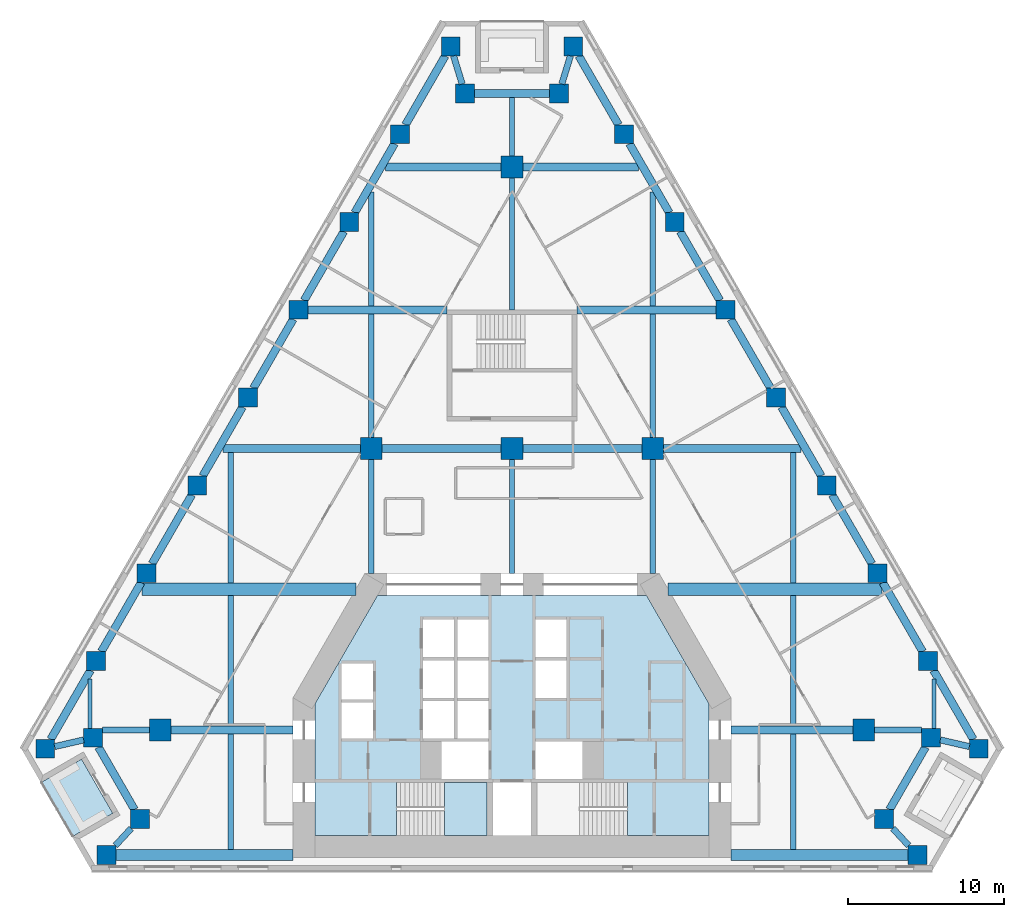
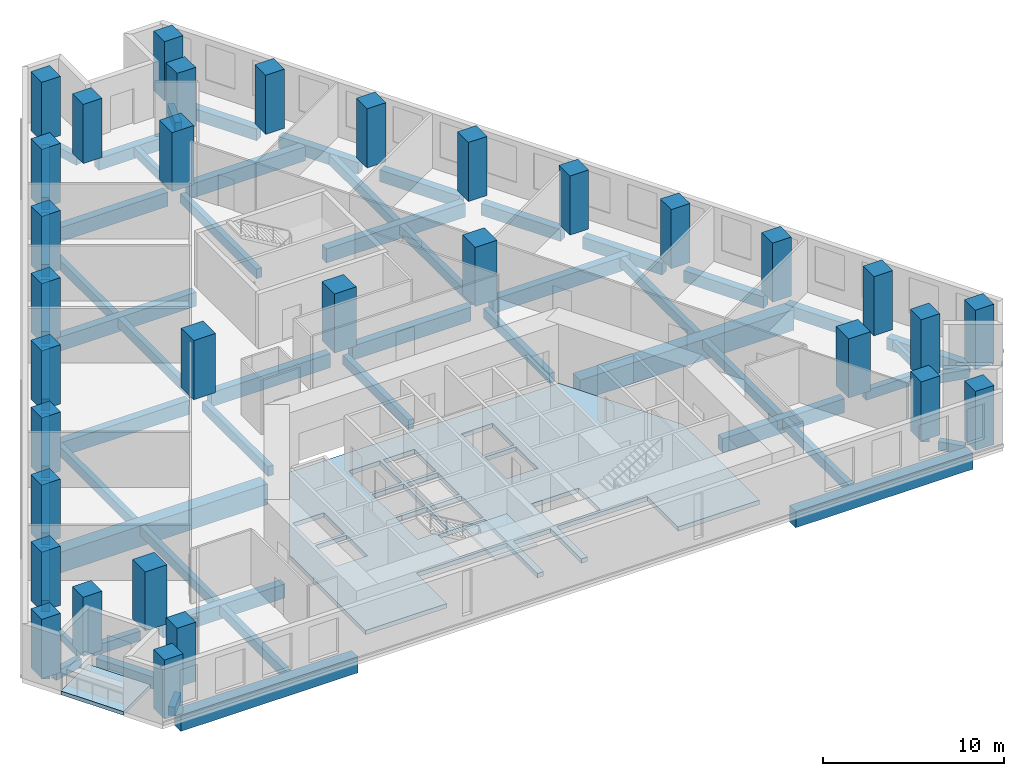
# One storey, part 1 of 9: 58 beams, 32 columns, 3 slabs, 1 element without a shape of its own.
"""IFC4 building model written with IfcOpenShell, lengths in metres."""

import ifcopenshell
import ifcopenshell.guid

model = None  # the IFC model being written
_history = None  # IfcOwnerHistory: only IFC2X3 demands one
_inside = {}  # id of a spatial element -> (the spatial element, [elements in it])
_under = {}  # id of a project, library or spatial element -> (it, [spatial elements below it])
_declared = {}  # id of a project -> (the project, [libraries it declares])
_typed = {}  # id of a type object -> (the type object, [elements of that type])
_made_of = {}  # id of a material, layer set ... -> (it, [elements and type objects made of it])


def new_model(schema):
    """Start an empty IFC model of exactly this schema.

    Asked for "IFC4X3", IfcOpenShell would pick the latest addendum, in which some entities
    have other attributes; the version numbers below select the first issue.
    IFC2X3 requires an IfcOwnerHistory on every rooted entity: one is made here for all.
    """
    global model, _history
    if schema == "IFC4X3":
        model = ifcopenshell.file(schema_version=(4, 3, 0, 0))
    else:
        model = ifcopenshell.file(schema=schema)
    _inside.clear()
    _under.clear()
    _declared.clear()
    _typed.clear()
    _made_of.clear()
    _history = None
    if model.schema == "IFC2X3":
        org = make("IfcOrganization", Name="unknown")
        user = make(
            "IfcPersonAndOrganization",
            ThePerson=make("IfcPerson", FamilyName="unknown"),
            TheOrganization=org,
        )
        app = make(
            "IfcApplication",
            ApplicationDeveloper=org,
            Version="unknown",
            ApplicationFullName="unknown",
            ApplicationIdentifier="unknown",
        )
        _history = make(
            "IfcOwnerHistory",
            OwningUser=user,
            OwningApplication=app,
            ChangeAction="ADDED",
            CreationDate=0,
        )
    return model


def make(cls, **values):
    """One entity of the class cls with the attributes given. An attribute that is None is left unset."""
    return model.create_entity(
        cls, **{name: value for name, value in values.items() if value is not None}
    )


def rooted(cls, **values):
    """An entity with a GlobalId (a new one), such as an element, a storey or a relation."""
    return make(cls, GlobalId=ifcopenshell.guid.new(), OwnerHistory=_history, **values)


def si_unit(unit_type, name, prefix=None):
    """IfcSIUnit, for example si_unit("LENGTHUNIT", "METRE", prefix="MILLI")."""
    return make("IfcSIUnit", UnitType=unit_type, Prefix=prefix, Name=name)


def assignment(units):
    """IfcUnitAssignment: the units of a project."""
    return None if units is None else make("IfcUnitAssignment", Units=units)


def point(xyz):
    """IfcCartesianPoint."""
    return None if xyz is None else make("IfcCartesianPoint", Coordinates=xyz)


def direction(xyz):
    """IfcDirection."""
    return None if xyz is None else make("IfcDirection", DirectionRatios=xyz)


def frame(location, z_axis=None, x_axis=None):
    """IfcAxis2Placement3D, a coordinate frame: its origin and axes. An axis left out is left unset."""
    return make(
        "IfcAxis2Placement3D",
        Location=point(location),
        Axis=direction(z_axis),
        RefDirection=direction(x_axis),
    )


def frame_2d(location, x_axis=None):
    """IfcAxis2Placement2D, a coordinate frame in the plane: its origin and x axis."""
    return make(
        "IfcAxis2Placement2D", Location=point(location), RefDirection=direction(x_axis)
    )


def origin():
    """The frame at (0, 0, 0) with its axes left unset."""
    return frame((0.0, 0.0, 0.0))


def origin_2d():
    """The frame at (0, 0) in the plane with its x axis left unset."""
    return frame_2d((0.0, 0.0))


def place(relative_to, where):
    """IfcLocalPlacement: puts the frame where relative to a parent placement (None: the world)."""
    return make(
        "IfcLocalPlacement", PlacementRelTo=relative_to, RelativePlacement=where
    )


def context(
    kind, dimensions, precision=None, world=None, true_north=None, identifier=None
):
    """IfcGeometricRepresentationContext, for example the 3D "Model" context."""
    return make(
        "IfcGeometricRepresentationContext",
        ContextIdentifier=identifier,
        ContextType=kind,
        CoordinateSpaceDimension=dimensions,
        Precision=precision,
        WorldCoordinateSystem=world,
        TrueNorth=true_north,
    )


def subcontext(parent, identifier, kind, view, scale=None):
    """IfcGeometricRepresentationSubContext, for example "Body" below "Model"."""
    return make(
        "IfcGeometricRepresentationSubContext",
        ContextIdentifier=identifier,
        ContextType=kind,
        ParentContext=parent,
        TargetScale=scale,
        TargetView=view,
    )


def project(units=None, contexts=None):
    """IfcProject with its units and contexts."""
    return rooted(
        "IfcProject",
        Name="project",
        RepresentationContexts=contexts,
        UnitsInContext=assignment(units),
    )


def spatial(cls, under=None, at=None, **own):
    """A site, building, storey or space (cls), placed at a placement, below another one or the project."""
    s = rooted(cls, ObjectPlacement=at, **own)
    if under is not None:
        _under.setdefault(under.id(), (under, []))[1].append(s)
    return s


def polyline(points):
    """IfcPolyline through the points."""
    return make("IfcPolyline", Points=[point(p) for p in points])


def profile(cls, at=None, kind="AREA", **sizes):
    """A parametric profile (cls). Its sizes go by their IFC names, for example OverallWidth=200.0."""
    return make(cls, ProfileType=kind, Position=at, **sizes)


def rectangle(**sizes):
    """IfcRectangleProfileDef."""
    return profile("IfcRectangleProfileDef", **sizes)


def outline(outer, holes=None, kind="AREA"):
    """IfcArbitraryClosedProfileDef: a profile drawn as a closed curve; with holes, ...WithVoids."""
    if holes is None:
        return make("IfcArbitraryClosedProfileDef", ProfileType=kind, OuterCurve=outer)
    return make(
        "IfcArbitraryProfileDefWithVoids",
        ProfileType=kind,
        OuterCurve=outer,
        InnerCurves=holes,
    )


def extrude(swept, where, along, depth):
    """IfcExtrudedAreaSolid: the profile swept, set in the frame where, extruded along a direction by depth."""
    return make(
        "IfcExtrudedAreaSolid",
        SweptArea=swept,
        Position=where,
        ExtrudedDirection=direction(along),
        Depth=depth,
    )


def shape(context_of_items, identifier, shape_type, items):
    """IfcShapeRepresentation: the items that make up one representation, for example the "Body"."""
    return make(
        "IfcShapeRepresentation",
        ContextOfItems=context_of_items,
        RepresentationIdentifier=identifier,
        RepresentationType=shape_type,
        Items=items,
    )


def material(Name=None, Category=None):
    """IfcMaterial."""
    return make("IfcMaterial", Name=Name, Category=Category)


def layer(
    of_material, thickness, ventilated=None, Name=None, Category=None, Priority=None
):
    """IfcMaterialLayer: one layer of a wall or slab, of a material (None: an air gap)."""
    return make(
        "IfcMaterialLayer",
        Material=of_material,
        LayerThickness=thickness,
        IsVentilated=ventilated,
        Name=Name,
        Category=Category,
        Priority=Priority,
    )


def layer_set(layers, Name=None):
    """IfcMaterialLayerSet."""
    return make("IfcMaterialLayerSet", MaterialLayers=layers, LayerSetName=Name)


def material_profile(
    of_material, cross_section, Name=None, Category=None, Priority=None
):
    """IfcMaterialProfile: a cross section and its material."""
    return make(
        "IfcMaterialProfile",
        Name=Name,
        Material=of_material,
        Profile=cross_section,
        Priority=Priority,
        Category=Category,
    )


def profile_set(profiles, Name=None, composite=None):
    """IfcMaterialProfileSet."""
    return make(
        "IfcMaterialProfileSet",
        Name=Name,
        MaterialProfiles=profiles,
        CompositeProfile=composite,
    )


def made_of(thing, what):
    """Note that an element or type object is made of a material, layer set ...; save() writes the relation."""
    if what is not None:
        _made_of.setdefault(what.id(), (what, []))[1].append(thing)
    return thing


def type_object(cls, material=None, **own):
    """A type object (cls), such as IfcWallType, which elements share."""
    return made_of(rooted(cls, **own), material)


def element(
    cls,
    number,
    at=None,
    inside=None,
    cuts=None,
    type_object=None,
    material=None,
    context=None,
    identifier="Body",
    shape_type=None,
    held_by="IfcProductDefinitionShape",
    body=None,
    shapes=None,
    **own,
):
    """One element of the class cls, such as IfcWall. Its Tag is "e" and its number.

    at: its placement. inside: the storey or other place that contains it. cuts: it is an
    opening in that element (IfcRelVoidsElement). A single representation is given by context,
    identifier, shape_type and body (its items); several are given by shapes. held_by: the class
    of the entity that holds the representations. save() writes the other relations.
    """
    e = rooted(cls, Tag="e%d" % number, ObjectPlacement=at, **own)
    if body is not None:
        shapes = [shape(context, identifier, shape_type, body)]
    if shapes is not None:
        e.Representation = make(held_by, Representations=shapes)
    if inside is not None:
        _inside.setdefault(inside.id(), (inside, []))[1].append(e)
    if cuts is not None:
        rooted(
            "IfcRelVoidsElement", RelatingBuildingElement=cuts, RelatedOpeningElement=e
        )
    if type_object is not None:
        _typed.setdefault(type_object.id(), (type_object, []))[1].append(e)
    return made_of(e, material)


def aggregate(whole, parts):
    """IfcRelAggregates: a whole, such as a stair, and the parts it consists of."""
    return rooted("IfcRelAggregates", RelatingObject=whole, RelatedObjects=parts)


def save(model, path):
    """Write the relations noted so far, then the file.

    IfcRelAggregates (storeys below a building ...), IfcRelContainedInSpatialStructure (elements
    in a storey), IfcRelDefinesByType, IfcRelAssociatesMaterial and IfcRelDeclares: one each for
    every whole, place, type object, material and project.
    """
    for whole, parts in _under.values():
        aggregate(whole, parts)
    for where, things in _inside.values():
        rooted(
            "IfcRelContainedInSpatialStructure",
            RelatedElements=things,
            RelatingStructure=where,
        )
    for kind, things in _typed.values():
        rooted("IfcRelDefinesByType", RelatedObjects=things, RelatingType=kind)
    for what, things in _made_of.values():
        rooted("IfcRelAssociatesMaterial", RelatedObjects=things, RelatingMaterial=what)
    for by, libraries in _declared.values():
        rooted("IfcRelDeclares", RelatingContext=by, RelatedDefinitions=libraries)
    model.write(path)


model = new_model("IFC4")

# Units and contexts
model_context = context("Model", 3, precision=1e-05, world=origin(), true_north=direction((0.0, 1.0)))
body_context = subcontext(model_context, "Body", "Model", "MODEL_VIEW")
ifc_project = project(units=[si_unit("LENGTHUNIT", "METRE"), si_unit("AREAUNIT", "SQUARE_METRE"), si_unit("VOLUMEUNIT", "CUBIC_METRE"), si_unit("PLANEANGLEUNIT", "RADIAN"), si_unit("MASSUNIT", "GRAM", prefix="KILO")], contexts=[model_context])

# Site, building, storey
site_placement = place(None, origin())
site = spatial("IfcSite", under=ifc_project, at=site_placement, CompositionType="ELEMENT")
building_placement = place(site_placement, origin())
building = spatial("IfcBuilding", under=site, at=building_placement, Name="Fogline Exchange Tower", CompositionType="ELEMENT")
storey_placement = place(building_placement, frame((0.0, 0.0, 64.89990234375)))
storey = spatial("IfcBuildingStorey", under=building, at=storey_placement, Name="L13", CompositionType="ELEMENT", Elevation=64.89990234375)

# Columns
ifc_material_1 = material(Name="Concrete C80", Category="concrete")
ifc_material_profile_1 = material_profile(ifc_material_1, rectangle(XDim=1.199951171875, YDim=1.199951171875, at=origin_2d()), Name="RC 1200x1200")
ifc_profile_set_1 = profile_set([ifc_material_profile_1], Name="Concrete C80")
column_type_1 = type_object("IfcColumnType", Name="C01", PredefinedType="COLUMN", material=ifc_profile_set_1)
for number, where, z_axis, x_axis, name in (
    (1, (-29.855712890625, 7.794189453125, 0.0), (0.0, 0.0, 1.0), (1.0, 0.0, 0.0), "SW-a"),
    (2, (-26.79638671875, 8.4951171875, 0.0), (0.0, 0.0, 1.0), (1.0, 0.0, 0.0), "SW-p4"),
    (3, (-23.79638671875, 3.299072265625, 0.0), (0.0, 0.0, 1.0), (1.0, 0.0, 0.0), "SW-p3"),
    (4, (-25.93310546875, 1.0, 0.0), (0.0, 0.0, 1.0), (1.0, 0.0, 0.0), "SW-b"),
    (5, (25.93310546875, 1.0, 0.0), (0.0, 0.0, 1.0), (1.0, 0.0, 0.0), "SE-a"),
    (6, (23.79638671875, 3.299072265625, 0.0), (0.0, 0.0, 1.0), (1.0, 0.0, 0.0), "SE-p4"),
    (7, (26.79638671875, 8.4951171875, 0.0), (0.0, 0.0, 1.0), (1.0, 0.0, 0.0), "SE-p3"),
    (8, (29.855712890625, 7.794189453125, 0.0), (0.0, 0.0, 1.0), (1.0, 0.0, 0.0), "SE-b"),
    (9, (26.614013671875, 13.408935546875, 0.0), (0.0, 0.0, 1.0), (1.0, 0.0, 0.0), "E1"),
    (10, (23.37255859375, 19.023681640625, 0.0), (0.0, 0.0, 1.0), (1.0, 0.0, 0.0), "E2"),
    (11, (20.130859375, 24.63818359375, 0.0), (0.0, 0.0, 1.0), (1.0, 0.0, 0.0), "E3"),
    (12, (16.88916015625, 30.2529296875, 0.0), (0.0, 0.0, 1.0), (1.0, 0.0, 0.0), "E4"),
    (13, (13.647705078125, 35.86767578125, 0.0), (0.0, 0.0, 1.0), (1.0, 0.0, 0.0), "E5"),
    (14, (10.406005859375, 41.482421875, 0.0), (0.0, 0.0, 1.0), (1.0, 0.0, 0.0), "E6"),
    (15, (7.164306640625, 47.096923828125, 0.0), (0.0, 0.0, 1.0), (1.0, 0.0, 0.0), "E7"),
    (16, (3.922607421875, 52.711669921875, 0.0), (0.0, 0.0, 1.0), (1.0, 0.0, 0.0), "N-a"),
    (17, (3.0, 49.711669921875, 0.0), (0.0, 0.0, 1.0), (1.0, 0.0, 0.0), "N-p4"),
    (18, (-3.0, 49.711669921875, 0.0), (0.0, 0.0, 1.0), (1.0, 0.0, 0.0), "N-p3"),
    (19, (-3.922607421875, 52.711669921875, 0.0), (0.0, 0.0, 1.0), (1.0, 0.0, 0.0), "N-b"),
    (20, (-7.164306640625, 47.096923828125, 0.0), (0.0, 0.0, 1.0), (1.0, 0.0, 0.0), "W1"),
    (21, (-10.406005859375, 41.482421875, 0.0), (0.0, 0.0, 1.0), (1.0, 0.0, 0.0), "W2"),
    (22, (-13.647705078125, 35.86767578125, 0.0), (0.0, 0.0, 1.0), (1.0, 0.0, 0.0), "W3"),
    (23, (-16.88916015625, 30.2529296875, 0.0), (0.0, 0.0, 1.0), (1.0, 0.0, 0.0), "W4"),
    (24, (-20.130859375, 24.63818359375, 0.0), (0.0, 0.0, 1.0), (1.0, 0.0, 0.0), "W5"),
    (25, (-23.37255859375, 19.023681640625, 0.0), (0.0, 0.0, 1.0), (1.0, 0.0, 0.0), "W6"),
    (26, (-26.614013671875, 13.408935546875, 0.0), (0.0, 0.0, 1.0), (1.0, 0.0, 0.0), "W7"),
):
    element("IfcColumn", number, at=place(storey_placement, frame(where, z_axis=z_axis, x_axis=x_axis)), inside=storey, type_object=column_type_1, Name=name, PredefinedType="COLUMN", context=body_context, shape_type="SweptSolid", body=[
        extrude(rectangle(XDim=1.199951171875, YDim=1.199951171875, at=origin_2d()), origin(), (0.0, 0.0, 1.0), 4.0),
    ])
ifc_material_profile_2 = material_profile(ifc_material_1, rectangle(XDim=1.39990234375, YDim=1.39990234375, at=origin_2d()), Name="RC 1400x1400")
ifc_profile_set_2 = profile_set([ifc_material_profile_2], Name="Concrete C80")
column_type_2 = type_object("IfcColumnType", Name="C02", PredefinedType="COLUMN", material=ifc_profile_set_2)
for number, where, z_axis, x_axis, name in (
    (27, (-9.0, 27.0, 0.0), (0.0, 0.0, 1.0), (1.0, 0.0, 0.0), "IC--9-27"),
    (28, (0.0, 27.0, 0.0), (0.0, 0.0, 1.0), (1.0, 0.0, 0.0), "IC-0-27"),
    (29, (9.0, 27.0, 0.0), (0.0, 0.0, 1.0), (1.0, 0.0, 0.0), "IC-9-27"),
    (30, (0.0, 45.0, 0.0), (0.0, 0.0, 1.0), (1.0, 0.0, 0.0), "IC-0-45"),
    (31, (-22.5, 9.0, 0.0), (0.0, 0.0, 1.0), (1.0, 0.0, 0.0), "IC--225-9"),
    (32, (22.5, 9.0, 0.0), (0.0, 0.0, 1.0), (1.0, 0.0, 0.0), "IC-225-9"),
):
    element("IfcColumn", number, at=place(storey_placement, frame(where, z_axis=z_axis, x_axis=x_axis)), inside=storey, type_object=column_type_2, Name=name, PredefinedType="COLUMN", context=body_context, shape_type="SweptSolid", body=[
        extrude(rectangle(XDim=1.39990234375, YDim=1.39990234375, at=origin_2d()), origin(), (0.0, 0.0, 1.0), 4.0),
    ])

# Beams
ifc_material_2 = material(Name="Concrete C40", Category="concrete")
ifc_material_profile_3 = material_profile(ifc_material_2, rectangle(XDim=0.300048828125, YDim=0.60009765625, at=origin_2d()), Name="RC 300x600")
ifc_profile_set_3 = profile_set([ifc_material_profile_3], Name="Concrete C40")
beam_type_1 = type_object("IfcBeamType", Name="B06", PredefinedType="BEAM", material=ifc_profile_set_3)
beam_1_placement = place(storey_placement, frame((0.0, 45.699951171875, -0.599853515625), z_axis=(0.0, 1.0, 0.0), x_axis=(-1.0, 0.0, 0.0)))
element("IfcBeam", 33, at=beam_1_placement, inside=storey, type_object=beam_type_1, Name="SB010", PredefinedType="BEAM", context=body_context, shape_type="SweptSolid", body=[
    extrude(rectangle(XDim=0.300048828125, YDim=0.60009765625, at=origin_2d()), origin(), (0.0, 0.0, 1.0), 3.76171875),
])
ifc_material_profile_4 = material_profile(ifc_material_2, rectangle(XDim=0.25, YDim=0.5, at=origin_2d()), Name="RC 250x500")
ifc_profile_set_4 = profile_set([ifc_material_profile_4], Name="Concrete C40")
beam_type_2 = type_object("IfcBeamType", Name="B08", PredefinedType="BEAM", material=ifc_profile_set_4)
for number, where, z_axis, x_axis, name in (
    (34, (-27.0, 9.09521484375, -0.5498046875), (0.0, 1.0, 0.0), (-1.0, 0.0, 0.0), "SB001"),
    (35, (27.0, 9.09521484375, -0.5498046875), (0.0, 1.0, 0.0), (-1.0, 0.0, 0.0), "SB017"),
):
    element("IfcBeam", number, at=place(storey_placement, frame(where, z_axis=z_axis, x_axis=x_axis)), inside=storey, type_object=beam_type_2, Name=name, PredefinedType="BEAM", context=body_context, shape_type="SweptSolid", body=[
        extrude(rectangle(XDim=0.25, YDim=0.5, at=origin_2d()), origin(), (0.0, 0.0, 1.0), 3.145263671875),
    ])
ifc_material_profile_5 = material_profile(ifc_material_2, rectangle(XDim=0.5, YDim=0.800048828125, at=origin_2d()), Name="RC 500x800")
ifc_profile_set_5 = profile_set([ifc_material_profile_5], Name="Concrete C40")
beam_type_3 = type_object("IfcBeamType", Name="B10", PredefinedType="BEAM", material=ifc_profile_set_5)
for number, where, z_axis, x_axis, name in (
    (36, (-26.449951171875, 7.895263671875, -0.699951171875), (0.500014024385, -0.866017306651, 0.0), (0.866017306651, 0.500014024385, 0.0), "RB002"),
    (37, (24.142578125, 3.89892578125, -0.699951171875), (0.500014024385, 0.866017306651, 0.0), (-0.866017306651, 0.500014024385, 0.0), "RB007"),
):
    element("IfcBeam", number, at=place(storey_placement, frame(where, z_axis=z_axis, x_axis=x_axis)), inside=storey, type_object=beam_type_3, Name=name, PredefinedType="BEAM", context=body_context, shape_type="SweptSolid", body=[
        extrude(rectangle(XDim=0.5, YDim=0.800048828125, at=origin_2d()), origin(), (0.0, 0.0, 1.0), 4.614501953125),
    ])
beam_2_placement = place(storey_placement, frame((29.50927734375, 8.394287109375, -0.699951171875), z_axis=(-0.500012659481, 0.866018094706, 0.0), x_axis=(-0.866018094706, -0.500012659481, 0.0)))
element("IfcBeam", 38, at=beam_2_placement, inside=storey, type_object=beam_type_3, Name="RB009", PredefinedType="BEAM", context=body_context, shape_type="SweptSolid", body=[
    extrude(rectangle(XDim=0.5, YDim=0.800048828125, at=origin_2d()), origin(), (0.0, 0.0, 1.0), 5.097412109375),
])
for number, where, z_axis, x_axis, name in (
    (39, (26.267578125, 14.0087890625, -0.699951171875), (-0.499956000529, 0.8660508054, 0.0), (-0.8660508054, -0.499956000529, 0.0), "RB010"),
    (40, (23.026123046875, 19.62353515625, -0.699951171875), (-0.499991921166, 0.866030068051, 0.0), (-0.866030068051, -0.499991921166, 0.0), "RB011"),
):
    element("IfcBeam", number, at=place(storey_placement, frame(where, z_axis=z_axis, x_axis=x_axis)), inside=storey, type_object=beam_type_3, Name=name, PredefinedType="BEAM", context=body_context, shape_type="SweptSolid", body=[
        extrude(rectangle(XDim=0.5, YDim=0.800048828125, at=origin_2d()), origin(), (0.0, 0.0, 1.0), 5.09765625),
    ])
beam_3_placement = place(storey_placement, frame((19.784423828125, 25.23828125, -0.699951171875), z_axis=(-0.500012659481, 0.866018094706, 0.0), x_axis=(-0.866018094706, -0.500012659481, 0.0)))
element("IfcBeam", 41, at=beam_3_placement, inside=storey, type_object=beam_type_3, Name="RB012", PredefinedType="BEAM", context=body_context, shape_type="SweptSolid", body=[
    extrude(rectangle(XDim=0.5, YDim=0.800048828125, at=origin_2d()), origin(), (0.0, 0.0, 1.0), 5.097412109375),
])
for number, where, z_axis, x_axis, name in (
    (42, (16.542724609375, 30.852783203125, -0.699951171875), (-0.499991921166, 0.866030068051, 0.0), (-0.866030068051, -0.499991921166, 0.0), "RB013"),
    (43, (13.301025390625, 36.467529296875, -0.699951171875), (-0.499991921166, 0.866030068051, 0.0), (-0.866030068051, -0.499991921166, 0.0), "RB014"),
    (44, (10.0595703125, 42.082275390625, -0.699951171875), (-0.499991921166, 0.866030068051, 0.0), (-0.866030068051, -0.499991921166, 0.0), "RB015"),
    (45, (6.81787109375, 47.697021484375, -0.699951171875), (-0.499991921166, 0.866030068051, 0.0), (-0.866030068051, -0.499991921166, 0.0), "RB016"),
):
    element("IfcBeam", number, at=place(storey_placement, frame(where, z_axis=z_axis, x_axis=x_axis)), inside=storey, type_object=beam_type_3, Name=name, PredefinedType="BEAM", context=body_context, shape_type="SweptSolid", body=[
        extrude(rectangle(XDim=0.5, YDim=0.800048828125, at=origin_2d()), origin(), (0.0, 0.0, 1.0), 5.09765625),
    ])
beam_4_placement = place(storey_placement, frame((2.39990234375, 49.711669921875, -0.699951171875), z_axis=(-1.0, 0.0, 0.0), x_axis=(0.0, -1.0, 0.0)))
element("IfcBeam", 46, at=beam_4_placement, inside=storey, type_object=beam_type_3, Name="RB018", PredefinedType="BEAM", context=body_context, shape_type="SweptSolid", body=[
    extrude(rectangle(XDim=0.5, YDim=0.800048828125, at=origin_2d()), origin(), (0.0, 0.0, 1.0), 4.7998046875),
])
for number, where, z_axis, x_axis, name in (
    (47, (-4.26904296875, 52.11181640625, -0.699951171875), (-0.499991921166, -0.866030068051, 0.0), (0.866030068051, -0.499991921166, 0.0), "RB020"),
    (48, (-7.5107421875, 46.4970703125, -0.699951171875), (-0.499991921166, -0.866030068051, 0.0), (0.866030068051, -0.499991921166, 0.0), "RB021"),
    (49, (-10.752197265625, 40.88232421875, -0.699951171875), (-0.499991921166, -0.866030068051, 0.0), (0.866030068051, -0.499991921166, 0.0), "RB022"),
    (50, (-13.993896484375, 35.267578125, -0.699951171875), (-0.499991921166, -0.866030068051, 0.0), (0.866030068051, -0.499991921166, 0.0), "RB023"),
):
    element("IfcBeam", number, at=place(storey_placement, frame(where, z_axis=z_axis, x_axis=x_axis)), inside=storey, type_object=beam_type_3, Name=name, PredefinedType="BEAM", context=body_context, shape_type="SweptSolid", body=[
        extrude(rectangle(XDim=0.5, YDim=0.800048828125, at=origin_2d()), origin(), (0.0, 0.0, 1.0), 5.09765625),
    ])
beam_5_placement = place(storey_placement, frame((-17.235595703125, 29.65283203125, -0.699951171875), z_axis=(-0.500012659481, -0.866018094706, 0.0), x_axis=(0.866018094706, -0.500012659481, 0.0)))
element("IfcBeam", 51, at=beam_5_placement, inside=storey, type_object=beam_type_3, Name="RB024", PredefinedType="BEAM", context=body_context, shape_type="SweptSolid", body=[
    extrude(rectangle(XDim=0.5, YDim=0.800048828125, at=origin_2d()), origin(), (0.0, 0.0, 1.0), 5.097412109375),
])
for number, where, z_axis, x_axis, name in (
    (52, (-20.477294921875, 24.038330078125, -0.699951171875), (-0.499991921166, -0.866030068051, 0.0), (0.866030068051, -0.499991921166, 0.0), "RB025"),
    (53, (-23.718994140625, 18.423583984375, -0.699951171875), (-0.499956000529, -0.8660508054, 0.0), (0.8660508054, -0.499956000529, 0.0), "RB026"),
):
    element("IfcBeam", number, at=place(storey_placement, frame(where, z_axis=z_axis, x_axis=x_axis)), inside=storey, type_object=beam_type_3, Name=name, PredefinedType="BEAM", context=body_context, shape_type="SweptSolid", body=[
        extrude(rectangle(XDim=0.5, YDim=0.800048828125, at=origin_2d()), origin(), (0.0, 0.0, 1.0), 5.09765625),
    ])
beam_6_placement = place(storey_placement, frame((-26.96044921875, 12.808837890625, -0.699951171875), z_axis=(-0.500012659481, -0.866018094706, 0.0), x_axis=(0.866018094706, -0.500012659481, 0.0)))
element("IfcBeam", 54, at=beam_6_placement, inside=storey, type_object=beam_type_3, Name="RB027", PredefinedType="BEAM", context=body_context, shape_type="SweptSolid", body=[
    extrude(rectangle(XDim=0.5, YDim=0.800048828125, at=origin_2d()), origin(), (0.0, 0.0, 1.0), 5.097412109375),
])
ifc_material_profile_6 = material_profile(ifc_material_2, rectangle(XDim=0.39990234375, YDim=0.60009765625, at=origin_2d()), Name="RC 400x600")
ifc_profile_set_6 = profile_set([ifc_material_profile_6], Name="Concrete C40")
beam_type_4 = type_object("IfcBeamType", Name="B11", PredefinedType="BEAM", material=ifc_profile_set_6)
beam_7_placement = place(storey_placement, frame((-29.255615234375, 7.931640625, -0.599853515625), z_axis=(0.974741606569, 0.223335622829, 0.0), x_axis=(-0.223335622829, 0.974741606569, 0.0)))
element("IfcBeam", 55, at=beam_7_placement, inside=storey, type_object=beam_type_4, Name="RB001", PredefinedType="BEAM", context=body_context, shape_type="SweptSolid", body=[
    extrude(rectangle(XDim=0.39990234375, YDim=0.60009765625, at=origin_2d()), origin(), (0.0, 0.0, 1.0), 1.907470703125),
])
for number, where, z_axis, x_axis, name in (
    (56, (-24.35400390625, 2.698974609375, -0.599853515625), (-0.680844217962, -0.732428256464, 0.0), (0.732428256464, -0.680844217962, 0.0), "RB003"),
    (57, (25.37548828125, 1.60009765625, -0.599853515625), (-0.680844217962, 0.732428256464, 0.0), (-0.732428256464, -0.680844217962, 0.0), "RB006"),
):
    element("IfcBeam", number, at=place(storey_placement, frame(where, z_axis=z_axis, x_axis=x_axis)), inside=storey, type_object=beam_type_4, Name=name, PredefinedType="BEAM", context=body_context, shape_type="SweptSolid", body=[
        extrude(rectangle(XDim=0.39990234375, YDim=0.60009765625, at=origin_2d()), origin(), (0.0, 0.0, 1.0), 1.500244140625),
    ])
beam_8_placement = place(storey_placement, frame((27.396240234375, 8.357666015625, -0.599853515625), z_axis=(0.974741606569, -0.223335622829, 0.0), x_axis=(0.223335622829, 0.974741606569, 0.0)))
element("IfcBeam", 58, at=beam_8_placement, inside=storey, type_object=beam_type_4, Name="RB008", PredefinedType="BEAM", context=body_context, shape_type="SweptSolid", body=[
    extrude(rectangle(XDim=0.39990234375, YDim=0.60009765625, at=origin_2d()), origin(), (0.0, 0.0, 1.0), 1.907470703125),
])
for number, where, z_axis, x_axis, name in (
    (59, (3.738037109375, 52.11181640625, -0.599853515625), (-0.293894535925, -0.955837853275, 0.0), (0.955837853275, -0.293894535925, 0.0), "RB017"),
    (60, (-3.1845703125, 50.311767578125, -0.599853515625), (-0.293894535925, 0.955837853275, 0.0), (-0.955837853275, -0.293894535925, 0.0), "RB019"),
):
    element("IfcBeam", number, at=place(storey_placement, frame(where, z_axis=z_axis, x_axis=x_axis)), inside=storey, type_object=beam_type_4, Name=name, PredefinedType="BEAM", context=body_context, shape_type="SweptSolid", body=[
        extrude(rectangle(XDim=0.39990234375, YDim=0.60009765625, at=origin_2d()), origin(), (0.0, 0.0, 1.0), 1.88330078125),
    ])
ifc_material_profile_7 = material_profile(ifc_material_2, rectangle(XDim=0.699951171875, YDim=1.10009765625, at=origin_2d()), Name="RC 700x1100")
ifc_profile_set_7 = profile_set([ifc_material_profile_7], Name="Concrete C40")
beam_type_5 = type_object("IfcBeamType", Name="B12", PredefinedType="BEAM", material=ifc_profile_set_7)
for number, where, z_axis, x_axis, name in (
    (61, (-25.3330078125, 1.0, -0.849853515625), (1.0, 0.0, 0.0), (0.0, 1.0, 0.0), "RB004"),
    (62, (14.0, 1.0, -0.849853515625), (1.0, 0.0, 0.0), (0.0, 1.0, 0.0), "RB005"),
):
    element("IfcBeam", number, at=place(storey_placement, frame(where, z_axis=z_axis, x_axis=x_axis)), inside=storey, type_object=beam_type_5, Name=name, PredefinedType="BEAM", context=body_context, shape_type="SweptSolid", body=[
        extrude(rectangle(XDim=0.699951171875, YDim=1.10009765625, at=origin_2d()), origin(), (0.0, 0.0, 1.0), 11.3330078125),
    ])
ifc_material_profile_8 = material_profile(ifc_material_2, rectangle(XDim=0.39990234375, YDim=0.64990234375, at=origin_2d()), Name="RC 400x650")
ifc_profile_set_8 = profile_set([ifc_material_profile_8], Name="Concrete C40")
beam_type_6 = type_object("IfcBeamType", Name="B13", PredefinedType="BEAM", material=ifc_profile_set_8)
for number, where, z_axis, x_axis, name in (
    (63, (-26.1962890625, 9.0, -0.625), (1.0, 0.0, 0.0), (0.0, 1.0, 0.0), "GB001"),
    (64, (23.199951171875, 9.0, -0.625), (1.0, 0.0, 0.0), (0.0, 1.0, 0.0), "GB004"),
):
    element("IfcBeam", number, at=place(storey_placement, frame(where, z_axis=z_axis, x_axis=x_axis)), inside=storey, type_object=beam_type_6, Name=name, PredefinedType="BEAM", context=body_context, shape_type="SweptSolid", body=[
        extrude(rectangle(XDim=0.39990234375, YDim=0.64990234375, at=origin_2d()), origin(), (0.0, 0.0, 1.0), 2.996337890625),
    ])
ifc_material_profile_9 = material_profile(ifc_material_2, rectangle(XDim=0.5, YDim=0.949951171875, at=origin_2d()), Name="RC 500x950")
ifc_profile_set_9 = profile_set([ifc_material_profile_9], Name="Concrete C40")
beam_type_7 = type_object("IfcBeamType", Name="B14", PredefinedType="BEAM", material=ifc_profile_set_9)
for number, where, z_axis, x_axis, name in (
    (65, (-21.800048828125, 9.0, -0.77490234375), (1.0, 0.0, 0.0), (0.0, 1.0, 0.0), "GB002"),
    (66, (14.0, 9.0, -0.77490234375), (1.0, 0.0, 0.0), (0.0, 1.0, 0.0), "GB003"),
):
    element("IfcBeam", number, at=place(storey_placement, frame(where, z_axis=z_axis, x_axis=x_axis)), inside=storey, type_object=beam_type_7, Name=name, PredefinedType="BEAM", context=body_context, shape_type="SweptSolid", body=[
        extrude(rectangle(XDim=0.5, YDim=0.949951171875, at=origin_2d()), origin(), (0.0, 0.0, 1.0), 7.800048828125),
    ])
beam_9_placement = place(storey_placement, frame((-18.478515625, 27.0, -0.77490234375), z_axis=(1.0, 0.0, 0.0), x_axis=(0.0, 1.0, 0.0)))
element("IfcBeam", 67, at=beam_9_placement, inside=storey, type_object=beam_type_7, Name="GB007", PredefinedType="BEAM", context=body_context, shape_type="SweptSolid", body=[
    extrude(rectangle(XDim=0.5, YDim=0.949951171875, at=origin_2d()), origin(), (0.0, 0.0, 1.0), 8.778564453125),
])
for number, where, z_axis, x_axis, name in (
    (68, (-8.300048828125, 27.0, -0.77490234375), (1.0, 0.0, 0.0), (0.0, 1.0, 0.0), "GB008"),
    (69, (0.699951171875, 27.0, -0.77490234375), (1.0, 0.0, 0.0), (0.0, 1.0, 0.0), "GB009"),
):
    element("IfcBeam", number, at=place(storey_placement, frame(where, z_axis=z_axis, x_axis=x_axis)), inside=storey, type_object=beam_type_7, Name=name, PredefinedType="BEAM", context=body_context, shape_type="SweptSolid", body=[
        extrude(rectangle(XDim=0.5, YDim=0.949951171875, at=origin_2d()), origin(), (0.0, 0.0, 1.0), 7.60009765625),
    ])
beam_10_placement = place(storey_placement, frame((9.699951171875, 27.0, -0.77490234375), z_axis=(1.0, 0.0, 0.0), x_axis=(0.0, 1.0, 0.0)))
element("IfcBeam", 70, at=beam_10_placement, inside=storey, type_object=beam_type_7, Name="GB010", PredefinedType="BEAM", context=body_context, shape_type="SweptSolid", body=[
    extrude(rectangle(XDim=0.5, YDim=0.949951171875, at=origin_2d()), origin(), (0.0, 0.0, 1.0), 8.778564453125),
])
for number, where, z_axis, x_axis, name in (
    (71, (-13.047607421875, 35.85693359375, -0.77490234375), (1.0, 0.0, 0.0), (0.0, 1.0, 0.0), "GB011"),
    (72, (4.14990234375, 35.85693359375, -0.77490234375), (1.0, 0.0, 0.0), (0.0, 1.0, 0.0), "GB012"),
):
    element("IfcBeam", number, at=place(storey_placement, frame(where, z_axis=z_axis, x_axis=x_axis)), inside=storey, type_object=beam_type_7, Name=name, PredefinedType="BEAM", context=body_context, shape_type="SweptSolid", body=[
        extrude(rectangle(XDim=0.5, YDim=0.949951171875, at=origin_2d()), origin(), (0.0, 0.0, 1.0), 8.897705078125),
    ])
for number, where, z_axis, x_axis, name in (
    (73, (-8.086181640625, 45.0, -0.77490234375), (1.0, 0.0, 0.0), (0.0, 1.0, 0.0), "GB013"),
    (74, (0.699951171875, 45.0, -0.77490234375), (1.0, 0.0, 0.0), (0.0, 1.0, 0.0), "GB014"),
):
    element("IfcBeam", number, at=place(storey_placement, frame(where, z_axis=z_axis, x_axis=x_axis)), inside=storey, type_object=beam_type_7, Name=name, PredefinedType="BEAM", context=body_context, shape_type="SweptSolid", body=[
        extrude(rectangle(XDim=0.5, YDim=0.949951171875, at=origin_2d()), origin(), (0.0, 0.0, 1.0), 7.38623046875),
    ])
ifc_material_profile_10 = material_profile(ifc_material_2, rectangle(XDim=0.800048828125, YDim=1.39990234375, at=origin_2d()), Name="RC 800x1400")
ifc_profile_set_10 = profile_set([ifc_material_profile_10], Name="Concrete C40")
beam_type_8 = type_object("IfcBeamType", Name="B15", PredefinedType="BEAM", material=ifc_profile_set_10)
for number, where, z_axis, x_axis, name in (
    (75, (-23.6748046875, 18.0, -1.0), (1.0, 0.0, 0.0), (0.0, 1.0, 0.0), "GB005"),
    (76, (9.989013671875, 18.0, -1.0), (1.0, 0.0, 0.0), (0.0, 1.0, 0.0), "GB006"),
):
    element("IfcBeam", number, at=place(storey_placement, frame(where, z_axis=z_axis, x_axis=x_axis)), inside=storey, type_object=beam_type_8, Name=name, PredefinedType="BEAM", context=body_context, shape_type="SweptSolid", body=[
        extrude(rectangle(XDim=0.800048828125, YDim=1.39990234375, at=origin_2d()), origin(), (0.0, 0.0, 1.0), 13.685791015625),
    ])
ifc_material_profile_11 = material_profile(ifc_material_2, rectangle(XDim=0.35009765625, YDim=0.64990234375, at=origin_2d()), Name="RC 350x650")
ifc_profile_set_11 = profile_set([ifc_material_profile_11], Name="Concrete C40")
beam_type_9 = type_object("IfcBeamType", Name="B16", PredefinedType="BEAM", material=ifc_profile_set_11)
beam_11_placement = place(storey_placement, frame((-18.0, 1.35009765625, -0.625), z_axis=(0.0, 1.0, 0.0), x_axis=(-1.0, 0.0, 0.0)))
element("IfcBeam", 77, at=beam_11_placement, inside=storey, type_object=beam_type_9, Name="SB002", PredefinedType="BEAM", context=body_context, shape_type="SweptSolid", body=[
    extrude(rectangle(XDim=0.35009765625, YDim=0.64990234375, at=origin_2d()), origin(), (0.0, 0.0, 1.0), 7.39990234375),
])
for number, where, z_axis, x_axis, name in (
    (78, (-18.0, 9.25, -0.625), (0.0, 1.0, 0.0), (-1.0, 0.0, 0.0), "SB003"),
    (79, (-18.0, 18.39990234375, -0.625), (0.0, 1.0, 0.0), (-1.0, 0.0, 0.0), "SB004"),
):
    element("IfcBeam", number, at=place(storey_placement, frame(where, z_axis=z_axis, x_axis=x_axis)), inside=storey, type_object=beam_type_9, Name=name, PredefinedType="BEAM", context=body_context, shape_type="SweptSolid", body=[
        extrude(rectangle(XDim=0.35009765625, YDim=0.64990234375, at=origin_2d()), origin(), (0.0, 0.0, 1.0), 8.35009765625),
    ])
beam_12_placement = place(storey_placement, frame((-9.0, 19.0, -0.625), z_axis=(0.0, 1.0, 0.0), x_axis=(-1.0, 0.0, 0.0)))
element("IfcBeam", 80, at=beam_12_placement, inside=storey, type_object=beam_type_9, Name="SB005", PredefinedType="BEAM", context=body_context, shape_type="SweptSolid", body=[
    extrude(rectangle(XDim=0.35009765625, YDim=0.64990234375, at=origin_2d()), origin(), (0.0, 0.0, 1.0), 7.300048828125),
])
beam_13_placement = place(storey_placement, frame((-9.0, 27.699951171875, -0.625), z_axis=(0.0, 1.0, 0.0), x_axis=(-1.0, 0.0, 0.0)))
element("IfcBeam", 81, at=beam_13_placement, inside=storey, type_object=beam_type_9, Name="SB006", PredefinedType="BEAM", context=body_context, shape_type="SweptSolid", body=[
    extrude(rectangle(XDim=0.35009765625, YDim=0.64990234375, at=origin_2d()), origin(), (0.0, 0.0, 1.0), 7.906982421875),
])
beam_14_placement = place(storey_placement, frame((-9.0, 36.10693359375, -0.625), z_axis=(0.0, 1.0, 0.0), x_axis=(-1.0, 0.0, 0.0)))
element("IfcBeam", 82, at=beam_14_placement, inside=storey, type_object=beam_type_9, Name="SB007", PredefinedType="BEAM", context=body_context, shape_type="SweptSolid", body=[
    extrude(rectangle(XDim=0.35009765625, YDim=0.64990234375, at=origin_2d()), origin(), (0.0, 0.0, 1.0), 7.310546875),
])
beam_15_placement = place(storey_placement, frame((0.0, 19.0, -0.625), z_axis=(0.0, 1.0, 0.0), x_axis=(-1.0, 0.0, 0.0)))
element("IfcBeam", 83, at=beam_15_placement, inside=storey, type_object=beam_type_9, Name="SB008", PredefinedType="BEAM", context=body_context, shape_type="SweptSolid", body=[
    extrude(rectangle(XDim=0.35009765625, YDim=0.64990234375, at=origin_2d()), origin(), (0.0, 0.0, 1.0), 7.300048828125),
])
beam_16_placement = place(storey_placement, frame((0.0, 35.85693359375, -0.625), z_axis=(0.0, 1.0, 0.0), x_axis=(-1.0, 0.0, 0.0)))
element("IfcBeam", 84, at=beam_16_placement, inside=storey, type_object=beam_type_9, Name="SB009", PredefinedType="BEAM", context=body_context, shape_type="SweptSolid", body=[
    extrude(rectangle(XDim=0.35009765625, YDim=0.64990234375, at=origin_2d()), origin(), (0.0, 0.0, 1.0), 8.443115234375),
])
beam_17_placement = place(storey_placement, frame((9.0, 19.0, -0.625), z_axis=(0.0, 1.0, 0.0), x_axis=(-1.0, 0.0, 0.0)))
element("IfcBeam", 85, at=beam_17_placement, inside=storey, type_object=beam_type_9, Name="SB011", PredefinedType="BEAM", context=body_context, shape_type="SweptSolid", body=[
    extrude(rectangle(XDim=0.35009765625, YDim=0.64990234375, at=origin_2d()), origin(), (0.0, 0.0, 1.0), 7.300048828125),
])
beam_18_placement = place(storey_placement, frame((9.0, 27.699951171875, -0.625), z_axis=(0.0, 1.0, 0.0), x_axis=(-1.0, 0.0, 0.0)))
element("IfcBeam", 86, at=beam_18_placement, inside=storey, type_object=beam_type_9, Name="SB012", PredefinedType="BEAM", context=body_context, shape_type="SweptSolid", body=[
    extrude(rectangle(XDim=0.35009765625, YDim=0.64990234375, at=origin_2d()), origin(), (0.0, 0.0, 1.0), 7.906982421875),
])
beam_19_placement = place(storey_placement, frame((9.0, 36.10693359375, -0.625), z_axis=(0.0, 1.0, 0.0), x_axis=(-1.0, 0.0, 0.0)))
element("IfcBeam", 87, at=beam_19_placement, inside=storey, type_object=beam_type_9, Name="SB013", PredefinedType="BEAM", context=body_context, shape_type="SweptSolid", body=[
    extrude(rectangle(XDim=0.35009765625, YDim=0.64990234375, at=origin_2d()), origin(), (0.0, 0.0, 1.0), 7.310546875),
])
beam_20_placement = place(storey_placement, frame((18.0, 1.35009765625, -0.625), z_axis=(0.0, 1.0, 0.0), x_axis=(-1.0, 0.0, 0.0)))
element("IfcBeam", 88, at=beam_20_placement, inside=storey, type_object=beam_type_9, Name="SB014", PredefinedType="BEAM", context=body_context, shape_type="SweptSolid", body=[
    extrude(rectangle(XDim=0.35009765625, YDim=0.64990234375, at=origin_2d()), origin(), (0.0, 0.0, 1.0), 7.39990234375),
])
for number, where, z_axis, x_axis, name in (
    (89, (18.0, 9.25, -0.625), (0.0, 1.0, 0.0), (-1.0, 0.0, 0.0), "SB015"),
    (90, (18.0, 18.39990234375, -0.625), (0.0, 1.0, 0.0), (-1.0, 0.0, 0.0), "SB016"),
):
    element("IfcBeam", number, at=place(storey_placement, frame(where, z_axis=z_axis, x_axis=x_axis)), inside=storey, type_object=beam_type_9, Name=name, PredefinedType="BEAM", context=body_context, shape_type="SweptSolid", body=[
        extrude(rectangle(XDim=0.35009765625, YDim=0.64990234375, at=origin_2d()), origin(), (0.0, 0.0, 1.0), 8.35009765625),
    ])

# Slabs
ifc_layer_1 = layer(ifc_material_2, 0.25)
ifc_layer_set_1 = layer_set([ifc_layer_1], Name="DK1")
slab_type_1 = type_object("IfcSlabType", Name="DK1", PredefinedType="FLOOR", material=ifc_layer_set_1)
slab_1_placement = place(storey_placement, frame((0.0, 0.0, -0.25)))
element("IfcSlab", 91, at=slab_1_placement, inside=storey, type_object=slab_type_1, Name="Balcony L13 SW", PredefinedType="FLOOR", context=body_context, shape_type="SweptSolid", body=[
    extrude(outline(polyline([(-30.1328125, 5.629150390625), (-28.1328125, 2.1650390625), (-25.534912109375, 3.6650390625), (-27.534912109375, 7.129150390625), (-30.1328125, 5.629150390625)])), origin(), (0.0, 0.0, 1.0), 0.25),
])
ifc_layer_2 = layer(ifc_material_2, 0.300048828125)
ifc_layer_set_2 = layer_set([ifc_layer_2], Name="S04")
slab_type_2 = type_object("IfcSlabType", Name="S04", PredefinedType="FLOOR", material=ifc_layer_set_2)
slab_2_placement = place(storey_placement, frame((0.0, 0.0, -0.2998046875)))
element("IfcSlab", 92, at=slab_2_placement, inside=storey, type_object=slab_type_2, Name="Core floor slab", PredefinedType="FLOOR", context=body_context, shape_type="SweptSolid", body=[
    extrude(outline(polyline([(-12.60009765625, 2.25), (-12.60009765625, 10.677490234375), (-8.603271484375, 17.60009765625), (8.603271484375, 17.60009765625), (12.60009765625, 10.677490234375), (12.60009765625, 2.25), (7.389892578125, 2.25), (7.389892578125, 5.64990234375), (1.60009765625, 5.64990234375), (1.60009765625, 2.25), (1.199951171875, 2.25), (1.199951171875, 5.64990234375), (-1.199951171875, 5.64990234375), (-1.199951171875, 2.25), (-1.60009765625, 2.25), (-1.60009765625, 5.64990234375), (-7.389892578125, 5.64990234375), (-7.389892578125, 2.25), (-12.60009765625, 2.25)]), holes=[polyline([(-1.5, 8.25), (-4.5, 8.25), (-4.5, 5.85009765625), (-1.5, 5.85009765625), (-1.5, 8.25)]), polyline([(-8.89990234375, 10.75), (-10.89990234375, 10.75), (-10.89990234375, 8.449951171875), (-8.89990234375, 8.449951171875), (-8.89990234375, 10.75)]), polyline([(-3.699951171875, 10.85009765625), (-5.699951171875, 10.85009765625), (-5.699951171875, 8.449951171875), (-3.699951171875, 8.449951171875), (-3.699951171875, 10.85009765625)]), polyline([(-1.5, 10.85009765625), (-3.5, 10.85009765625), (-3.5, 8.449951171875), (-1.5, 8.449951171875), (-1.5, 10.85009765625)]), polyline([(-8.89990234375, 13.25), (-10.89990234375, 13.25), (-10.89990234375, 10.949951171875), (-8.89990234375, 10.949951171875), (-8.89990234375, 13.25)]), polyline([(-3.699951171875, 13.449951171875), (-5.699951171875, 13.449951171875), (-5.699951171875, 11.050048828125), (-3.699951171875, 11.050048828125), (-3.699951171875, 13.449951171875)]), polyline([(-3.699951171875, 16.050048828125), (-5.699951171875, 16.050048828125), (-5.699951171875, 13.64990234375), (-3.699951171875, 13.64990234375), (-3.699951171875, 16.050048828125)]), polyline([(4.5, 8.25), (1.5, 8.25), (1.5, 5.85009765625), (4.5, 5.85009765625), (4.5, 8.25)]), polyline([(-1.5, 13.449951171875), (-3.5, 13.449951171875), (-3.5, 11.050048828125), (-1.5, 11.050048828125), (-1.5, 13.449951171875)]), polyline([(3.5, 13.449951171875), (1.5, 13.449951171875), (1.5, 11.050048828125), (3.5, 11.050048828125), (3.5, 13.449951171875)]), polyline([(-1.5, 16.050048828125), (-3.5, 16.050048828125), (-3.5, 13.64990234375), (-1.5, 13.64990234375), (-1.5, 16.050048828125)]), polyline([(3.5, 16.050048828125), (1.5, 16.050048828125), (1.5, 13.64990234375), (3.5, 13.64990234375), (3.5, 16.050048828125)])]), origin(), (0.0, 0.0, 1.0), 0.2998046875),
])

# Stair, slab
stair_type = type_object("IfcStairType", Name="STR24-1667", PredefinedType="HALF_TURN_STAIR", material=ifc_material_2)
stair_placement = place(storey_placement, origin())
stair = element("IfcStair", 93, at=stair_placement, inside=storey, type_object=stair_type, Name="Stair ST1", PredefinedType="HALF_TURN_STAIR")
ifc_layer_3 = layer(ifc_material_2, 0.199951171875)
ifc_layer_set_3 = layer_set([ifc_layer_3], Name="SL200")
slab_type_3 = type_object("IfcSlabType", Name="SL200", PredefinedType="LANDING", material=ifc_layer_set_3)
slab_3_placement = place(storey_placement, frame((0.0, 0.0, 1.800048828125)))
slab_3 = element("IfcSlab", 94, at=slab_3_placement, type_object=slab_type_3, Name="ST1 landing 1", PredefinedType="LANDING", context=body_context, shape_type="SweptSolid", body=[
    extrude(outline(polyline([(-4.320068359375, 2.25), (-1.60009765625, 2.25), (-1.60009765625, 5.64990234375), (-4.320068359375, 5.64990234375), (-4.320068359375, 2.25)])), origin(), (0.0, 0.0, 1.0), 0.199951171875),
])
aggregate(stair, [slab_3])

save(model, "model.ifc")
